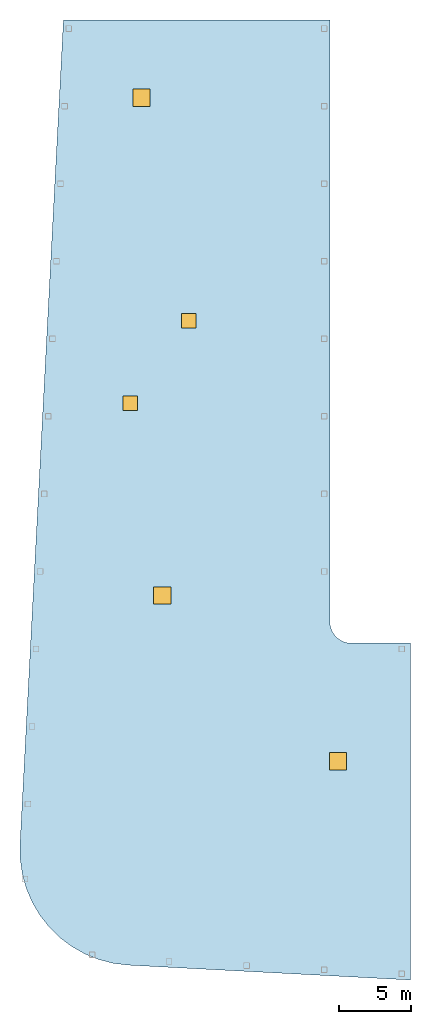
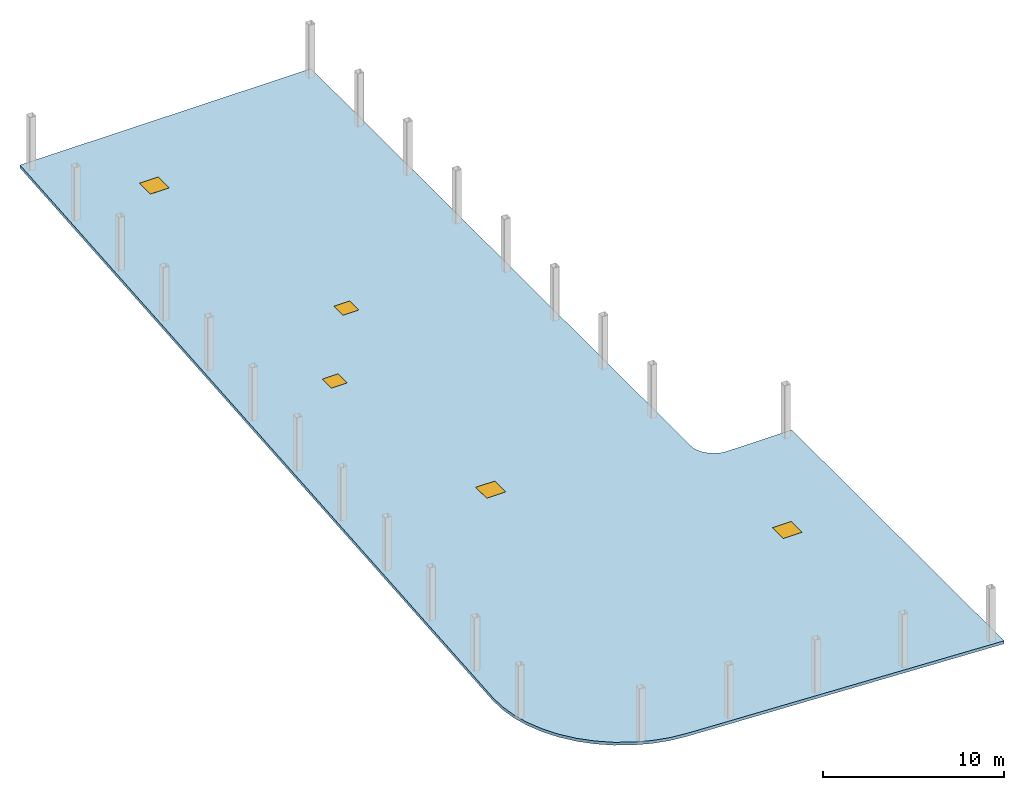
"""IFC4 building model written with IfcOpenShell, lengths in metres."""

from ifc_helpers import new_model, si_unit, direction, frame, origin, origin_2d, place, context, subcontext, project, spatial, polyline, rectangle, outline, extrude, material, layer, layer_set, type_object, element, fill, save


model = new_model("IFC4")

# Units and contexts
model_context = context("Model", 3, precision=1e-05, world=origin(), true_north=direction((0.0, 1.0)))
body_context = subcontext(model_context, "Body", "Model", "MODEL_VIEW")
ifc_project = project(units=[si_unit("LENGTHUNIT", "METRE"), si_unit("AREAUNIT", "SQUARE_METRE"), si_unit("VOLUMEUNIT", "CUBIC_METRE"), si_unit("PLANEANGLEUNIT", "RADIAN"), si_unit("MASSUNIT", "GRAM", prefix="KILO")], contexts=[model_context])

# Site, building, storey
site_placement = place(None, origin())
site = spatial("IfcSite", under=ifc_project, at=site_placement, CompositionType="ELEMENT")
building_placement = place(site_placement, origin())
building = spatial("IfcBuilding", under=site, at=building_placement, Name="Kheshtan School and Residences Tower", CompositionType="ELEMENT")
storey_1_placement = place(building_placement, frame((0.0, 0.0, 412.800048828125)))
storey_1 = spatial("IfcBuildingStorey", under=building, at=storey_1_placement, Name="Roof", CompositionType="ELEMENT", Elevation=412.800048828125)

# Slab, openings
ifc_material_1 = material(Name="Zinc standing seam on insulated deck")
ifc_layer = layer(ifc_material_1, 0.199951171875)
ifc_layer_set = layer_set([ifc_layer], Name="Crown roof 200")
slab_type = type_object("IfcSlabType", Name="Crown roof 200", PredefinedType="ROOF", material=ifc_layer_set)
slab_placement = place(storey_1_placement, frame((0.0, 0.0, -0.199951171875)))
slab = element("IfcSlab", 1, at=slab_placement, inside=storey_1, type_object=slab_type, Name="Crown roof", PredefinedType="ROOF", context=body_context, shape_type="SweptSolid", body=[
    extrude(outline(polyline([(48.0, 47.5), (48.012939453125, 47.303955078125), (48.051025390625, 47.112060546875), (48.114013671875, 46.926025390625), (48.200927734375, 46.75), (48.31005859375, 46.5869140625), (48.43896484375, 46.43896484375), (48.5869140625, 46.31005859375), (48.75, 46.200927734375), (48.926025390625, 46.114013671875), (49.112060546875, 46.051025390625), (49.303955078125, 46.012939453125), (49.5, 46.0), (53.60009765625, 46.0), (53.60009765625, 22.547119140625), (33.989013671875, 23.580078125), (32.949951171875, 23.702880859375), (31.93603515625, 23.9609375), (30.964111328125, 24.34912109375), (30.051025390625, 24.860107421875), (29.2119140625, 25.486083984375), (28.462890625, 26.217041015625), (27.81494140625, 27.0390625), (27.281005859375, 27.93798828125), (26.867919921875, 28.89990234375), (26.583984375, 29.906982421875), (26.43408203125, 30.943115234375), (26.419921875, 31.989013671875), (29.44189453125, 89.39990234375), (48.0, 89.39990234375), (48.0, 47.5)])), origin(), (0.0, 0.0, 1.0), 0.199951171875),
])
opening_1_placement = place(slab_placement, frame((38.169921875, 68.449951171875, 0.0)))
opening_1 = element("IfcOpeningElement", 2, at=opening_1_placement, cuts=slab, Name="Opening HT", PredefinedType="OPENING", context=body_context, shape_type="SweptSolid", body=[
    extrude(rectangle(XDim=1.0, YDim=1.0, at=origin_2d()), origin(), (0.0, 0.0, 1.0), 0.199951171875),
])
opening_2_placement = place(slab_placement, frame((48.570068359375, 37.77490234375, 0.0)))
opening_2 = element("IfcOpeningElement", 3, at=opening_2_placement, cuts=slab, Name="Opening HT2", PredefinedType="OPENING", context=body_context, shape_type="SweptSolid", body=[
    extrude(rectangle(XDim=1.199951171875, YDim=1.199951171875, at=origin_2d()), origin(), (0.0, 0.0, 1.0), 0.199951171875),
])
opening_3_placement = place(slab_placement, frame((36.324951171875, 49.330078125, 0.0)))
opening_3 = element("IfcOpeningElement", 4, at=opening_3_placement, cuts=slab, Name="Opening HT2", PredefinedType="OPENING", context=body_context, shape_type="SweptSolid", body=[
    extrude(rectangle(XDim=1.199951171875, YDim=1.199951171875, at=origin_2d()), origin(), (0.0, 0.0, 1.0), 0.199951171875),
])
opening_4_placement = place(slab_placement, frame((34.875, 83.97998046875, 0.0)))
opening_4 = element("IfcOpeningElement", 5, at=opening_4_placement, cuts=slab, Name="Opening HT2", PredefinedType="OPENING", context=body_context, shape_type="SweptSolid", body=[
    extrude(rectangle(XDim=1.199951171875, YDim=1.199951171875, at=origin_2d()), origin(), (0.0, 0.0, 1.0), 0.199951171875),
])
opening_5_placement = place(slab_placement, frame((34.10009765625, 62.699951171875, 0.0)))
opening_5 = element("IfcOpeningElement", 6, at=opening_5_placement, cuts=slab, Name="Opening HT", PredefinedType="OPENING", context=body_context, shape_type="SweptSolid", body=[
    extrude(rectangle(XDim=1.0, YDim=1.0, at=origin_2d()), origin(), (0.0, 0.0, 1.0), 0.199951171875),
])

# Storey
storey_2_placement = place(building_placement, frame((0.0, 0.0, 404.800048828125)))
storey_2 = spatial("IfcBuildingStorey", under=building, at=storey_2_placement, Name="L94", CompositionType="ELEMENT", Elevation=404.800048828125)

# Door
ifc_material_2 = material(Name="Galvanised steel, insulated", Category="steel")
door_type_1 = type_object("IfcDoorType", Name="Roof hatch", OperationType="SWING_FIXED_LEFT", PredefinedType="TRAPDOOR", material=ifc_material_2)
door_1_placement = place(opening_1_placement, frame((0.0, 0.0, 0.14990234375)))
door_1 = element("IfcDoor", 7, at=door_1_placement, inside=storey_2, type_object=door_type_1, Name="Roof hatch", OperationType="SINGLE_SWING_LEFT", OverallHeight=1.0, OverallWidth=1.0, PredefinedType="TRAPDOOR", context=body_context, shape_type="SweptSolid", body=[
    extrude(rectangle(XDim=1.0, YDim=1.0, at=origin_2d()), origin(), (0.0, 0.0, 1.0), 0.050048828125),
])

fill(opening_1, door_1)

door_2_placement = place(opening_5_placement, frame((0.0, 0.0, 0.14990234375)))
door_2 = element("IfcDoor", 8, at=door_2_placement, inside=storey_2, type_object=door_type_1, Name="Roof hatch 2", OperationType="SINGLE_SWING_LEFT", OverallHeight=1.0, OverallWidth=1.0, PredefinedType="TRAPDOOR", context=body_context, shape_type="SweptSolid", body=[
    extrude(rectangle(XDim=1.0, YDim=1.0, at=origin_2d()), origin(), (0.0, 0.0, 1.0), 0.050048828125),
])

fill(opening_5, door_2)

door_type_2 = type_object("IfcDoorType", Name="Stair roof exit hatch", OperationType="SWING_FIXED_LEFT", PredefinedType="TRAPDOOR", material=ifc_material_2)
door_3_placement = place(opening_2_placement, frame((0.0, 0.0, 0.14990234375)))
door_3 = element("IfcDoor", 9, at=door_3_placement, inside=storey_2, type_object=door_type_2, Name="Stair roof exit hatch ST1", OperationType="SINGLE_SWING_LEFT", OverallHeight=1.199951171875, OverallWidth=1.199951171875, PredefinedType="TRAPDOOR", context=body_context, shape_type="SweptSolid", body=[
    extrude(rectangle(XDim=1.199951171875, YDim=1.199951171875, at=origin_2d()), origin(), (0.0, 0.0, 1.0), 0.050048828125),
])

fill(opening_2, door_3)

door_4_placement = place(opening_3_placement, frame((0.0, 0.0, 0.14990234375)))
door_4 = element("IfcDoor", 10, at=door_4_placement, inside=storey_2, type_object=door_type_2, Name="Stair roof exit hatch ST2", OperationType="SINGLE_SWING_LEFT", OverallHeight=1.199951171875, OverallWidth=1.199951171875, PredefinedType="TRAPDOOR", context=body_context, shape_type="SweptSolid", body=[
    extrude(rectangle(XDim=1.199951171875, YDim=1.199951171875, at=origin_2d()), origin(), (0.0, 0.0, 1.0), 0.050048828125),
])

fill(opening_3, door_4)

door_5_placement = place(opening_4_placement, frame((0.0, 0.0, 0.14990234375)))
door_5 = element("IfcDoor", 11, at=door_5_placement, inside=storey_2, type_object=door_type_2, Name="Stair roof exit hatch ST3", OperationType="SINGLE_SWING_LEFT", OverallHeight=1.199951171875, OverallWidth=1.199951171875, PredefinedType="TRAPDOOR", context=body_context, shape_type="SweptSolid", body=[
    extrude(rectangle(XDim=1.199951171875, YDim=1.199951171875, at=origin_2d()), origin(), (0.0, 0.0, 1.0), 0.050048828125),
])

fill(opening_4, door_5)

save(model, "model.ifc")
